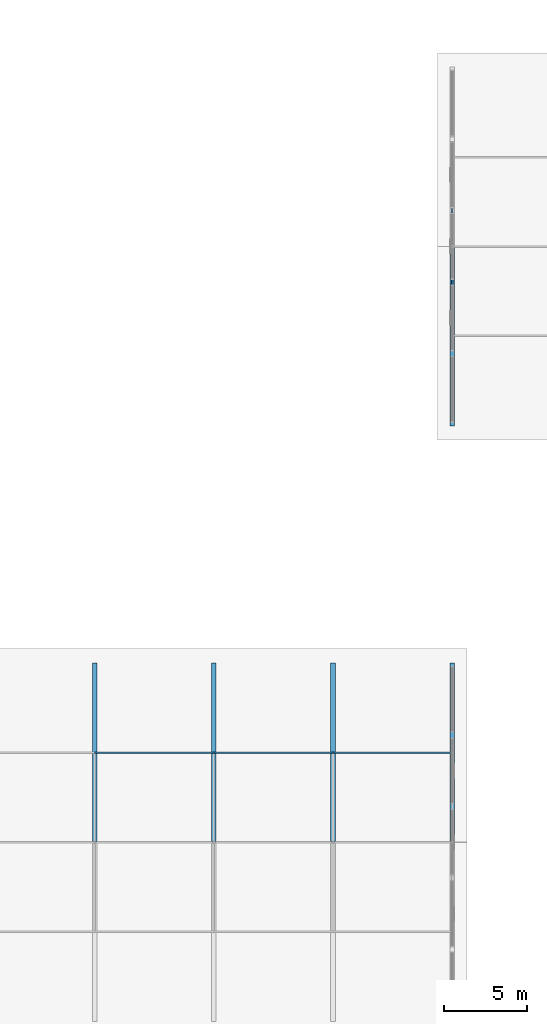
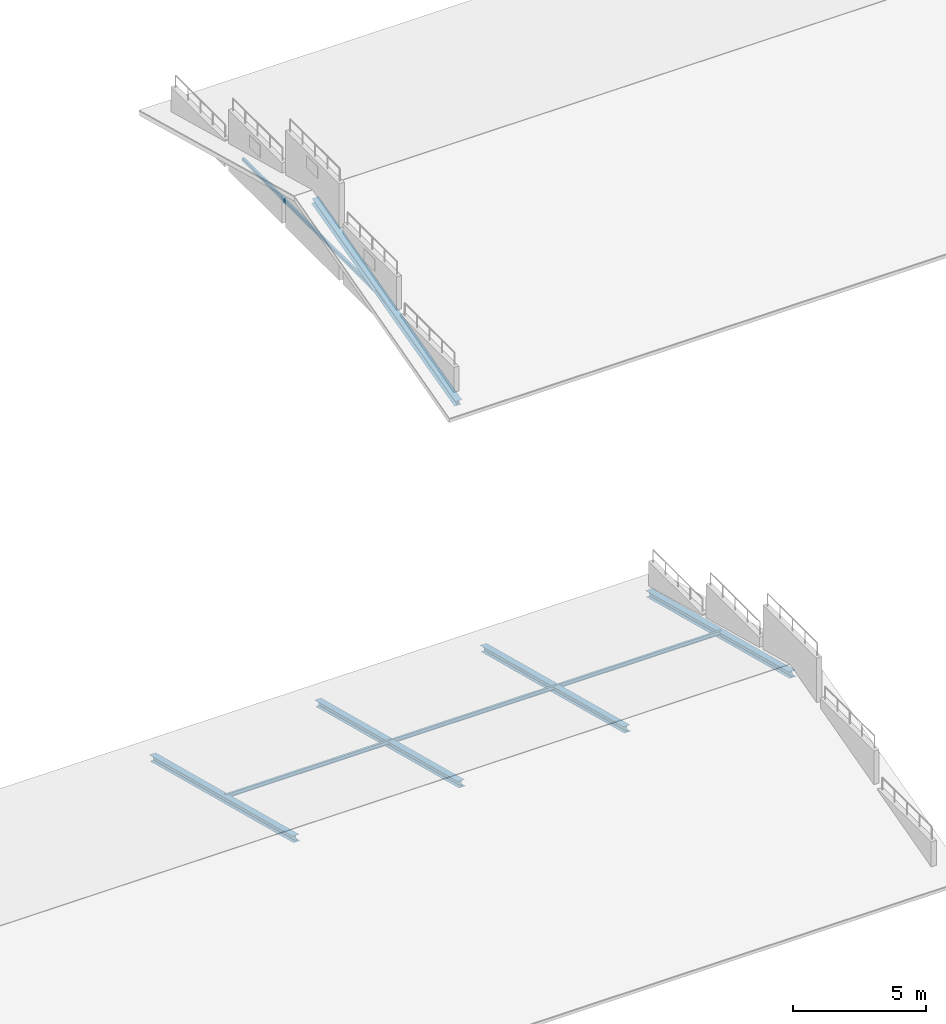
# One storey, part 23 of 124: 9 members.
"""IFC4 building model written with IfcOpenShell, lengths in metres."""

from ifc_helpers import new_model, si_unit, direction, frame, origin, origin_2d, place, context, subcontext, project, spatial, hollow_rectangle, i_section, extrude, material, material_profile, profile_set, type_object, element, save


model = new_model("IFC4")

# Units and contexts
model_context = context("Model", 3, precision=1e-05, world=origin(), true_north=direction((0.0, 1.0)))
body_context = subcontext(model_context, "Body", "Model", "MODEL_VIEW")
ifc_project = project(units=[si_unit("LENGTHUNIT", "METRE"), si_unit("AREAUNIT", "SQUARE_METRE"), si_unit("VOLUMEUNIT", "CUBIC_METRE"), si_unit("PLANEANGLEUNIT", "RADIAN"), si_unit("MASSUNIT", "GRAM", prefix="KILO"), si_unit("THERMODYNAMICTEMPERATUREUNIT", "KELVIN"), si_unit("POWERUNIT", "WATT")], contexts=[model_context])

# Site, building, storey
site_placement = place(None, origin())
site = spatial("IfcSite", under=ifc_project, at=site_placement, CompositionType="ELEMENT")
building_placement = place(site_placement, origin())
building = spatial("IfcBuilding", under=site, at=building_placement, Name="Tavuni Mirador Residences", CompositionType="ELEMENT")
storey_placement = place(building_placement, frame((0.0, 0.0, 7.64990234375)))
storey = spatial("IfcBuildingStorey", under=building, at=storey_placement, Name="L02", CompositionType="ELEMENT", Elevation=7.64990234375)

# Members
ifc_material = material(Name="Structural steel S355", Category="steel")
ifc_material_profile_1 = material_profile(ifc_material, hollow_rectangle(XDim=0.10009765625, YDim=0.14990234375, WallThickness=0.008056640625, at=origin_2d()), Name="RHS 150x100x8.0", Category="steel")
ifc_profile_set_1 = profile_set([ifc_material_profile_1], Name="Structural steel S355")
member_type_1 = type_object("IfcMemberType", Name="MT-BR-RHS150", PredefinedType="BRACE", material=ifc_profile_set_1)
member_1_placement = place(storey_placement, frame((90.0, 48.60009765625, 1.050048828125), z_axis=(0.0, 1.0, 0.0), x_axis=(-1.0, 0.0, 0.0)))
element("IfcMember", 1, at=member_1_placement, inside=storey, type_object=member_type_1, Name="RTIE-PAV-NURS-00", PredefinedType="BRACE", context=body_context, shape_type="SweptSolid", body=[
    extrude(hollow_rectangle(XDim=0.10009765625, YDim=0.14990234375, WallThickness=0.008056640625, at=origin_2d()), origin(), (0.0, 0.0, 1.0), 10.7998046875),
])
ifc_material_profile_2 = material_profile(ifc_material, i_section(OverallWidth=0.280029296875, OverallDepth=0.27001953125, WebThickness=0.008056640625, FlangeThickness=0.012939453125, FilletRadius=0.02392578125, at=origin_2d()), Name="HEA 280", Category="steel")
ifc_profile_set_2 = profile_set([ifc_material_profile_2], Name="Structural steel S355")
member_type_2 = type_object("IfcMemberType", Name="MT-CH-HEA280", PredefinedType="CHORD", material=ifc_profile_set_2)
for number, where, z_axis, x_axis, name in (
    (2, (90.0, 43.199951171875, -0.349853515625), (0.0, 0.967996110632, 0.250965196393), (-1.0, 0.0, 0.0), "RAF-PAV-NURS-00-S"),
    (3, (68.39990234375, 18.0, 2.4501953125), (0.0, 0.967996110632, -0.250965196393), (-1.0, 0.0, 0.0), "RAF-PAV-SHOP-03-N"),
    (4, (75.60009765625, 18.0, 2.4501953125), (0.0, 0.967996110632, -0.250965196393), (-1.0, 0.0, 0.0), "RAF-PAV-SHOP-04-N"),
    (5, (82.800048828125, 18.0, 2.4501953125), (0.0, 0.967996110632, -0.250965196393), (-1.0, 0.0, 0.0), "RAF-PAV-SHOP-05-N"),
    (6, (90.0, 18.0, 2.4501953125), (0.0, 0.967996110632, -0.250965196393), (-1.0, 0.0, 0.0), "RAF-PAV-SHOP-06-N"),
):
    element("IfcMember", number, at=place(storey_placement, frame(where, z_axis=z_axis, x_axis=x_axis)), inside=storey, type_object=member_type_2, Name=name, PredefinedType="CHORD", context=body_context, shape_type="SweptSolid", body=[
        extrude(i_section(OverallWidth=0.280029296875, OverallDepth=0.27001953125, WebThickness=0.008056640625, FlangeThickness=0.012939453125, FilletRadius=0.02392578125, at=origin_2d()), origin(), (0.0, 0.0, 1.0), 11.1572265625),
    ])
ifc_material_profile_3 = material_profile(ifc_material, i_section(OverallWidth=0.091064453125, OverallDepth=0.179931640625, WebThickness=0.00537109375, FlangeThickness=0.008056640625, FilletRadius=0.009033203125, at=origin_2d()), Name="IPE 180", Category="steel")
ifc_profile_set_3 = profile_set([ifc_material_profile_3], Name="Structural steel S355")
member_type_3 = type_object("IfcMemberType", Name="MT-PR-IPE180", PredefinedType="PURLIN", material=ifc_profile_set_3)
member_2_placement = place(storey_placement, frame((68.39990234375, 23.39990234375, 1.114990234375), z_axis=(1.0, 0.0, 0.0), x_axis=(0.0, 1.0, 0.0)))
element("IfcMember", 7, at=member_2_placement, inside=storey, type_object=member_type_3, Name="RPUR-PAV-SHOP-75-03", PredefinedType="PURLIN", context=body_context, shape_type="SweptSolid", body=[
    extrude(i_section(OverallWidth=0.091064453125, OverallDepth=0.179931640625, WebThickness=0.00537109375, FlangeThickness=0.008056640625, FilletRadius=0.009033203125, at=origin_2d()), origin(), (0.0, 0.0, 1.0), 7.2001953125),
])
for number, where, z_axis, x_axis, name in (
    (8, (75.60009765625, 23.39990234375, 1.114990234375), (1.0, 0.0, 0.0), (0.0, 1.0, 0.0), "RPUR-PAV-SHOP-75-04"),
    (9, (82.800048828125, 23.39990234375, 1.114990234375), (1.0, 0.0, 0.0), (0.0, 1.0, 0.0), "RPUR-PAV-SHOP-75-05"),
):
    element("IfcMember", number, at=place(storey_placement, frame(where, z_axis=z_axis, x_axis=x_axis)), inside=storey, type_object=member_type_3, Name=name, PredefinedType="PURLIN", context=body_context, shape_type="SweptSolid", body=[
        extrude(i_section(OverallWidth=0.091064453125, OverallDepth=0.179931640625, WebThickness=0.00537109375, FlangeThickness=0.008056640625, FilletRadius=0.009033203125, at=origin_2d()), origin(), (0.0, 0.0, 1.0), 7.199951171875),
    ])

save(model, "model.ifc")
